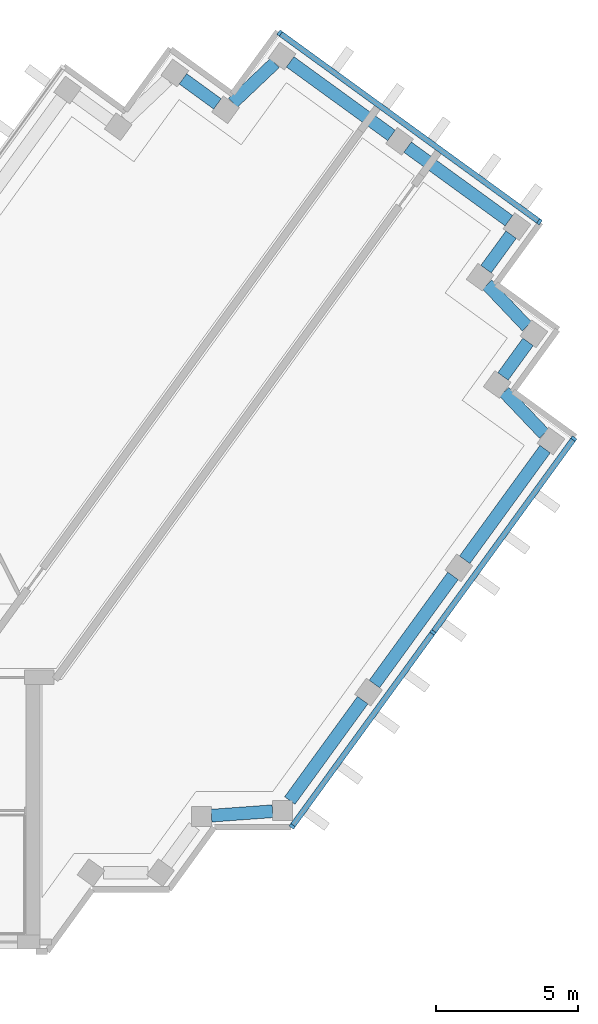
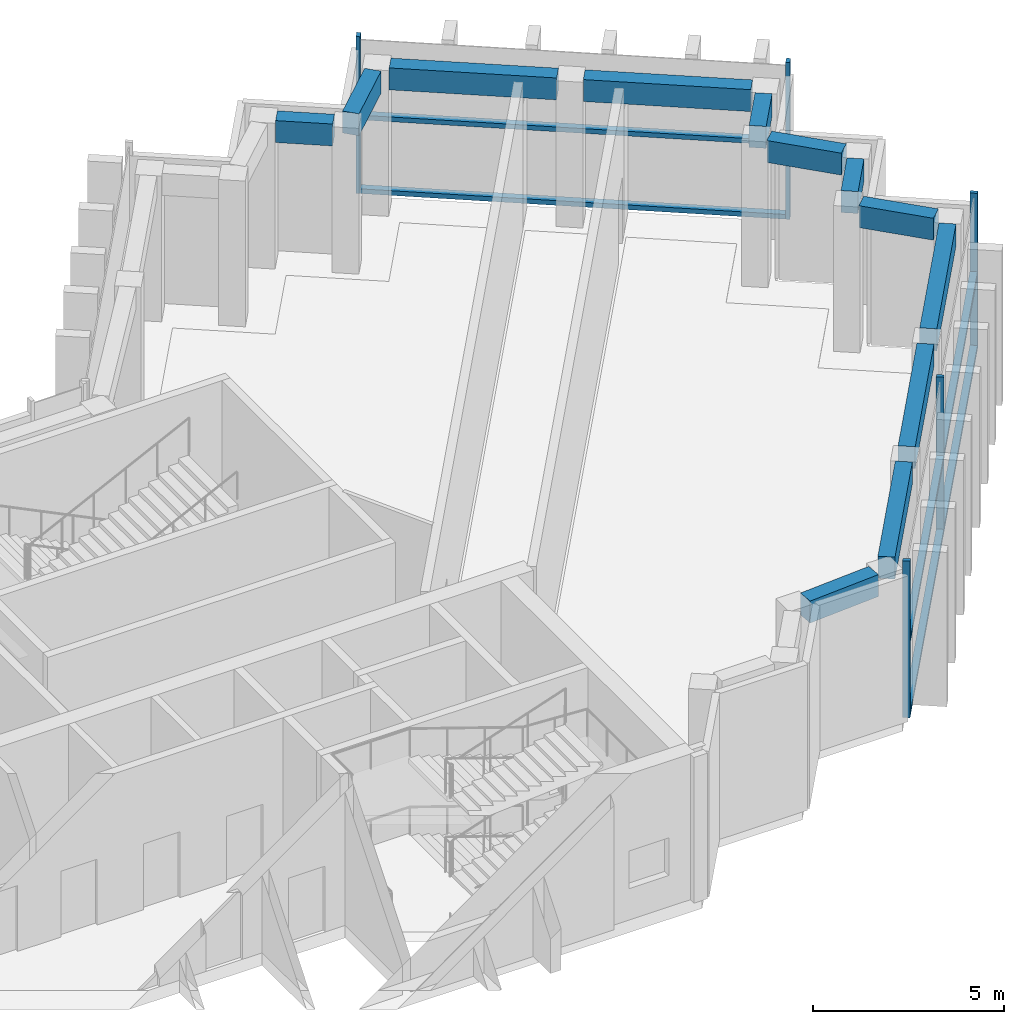
# One storey, part 5 of 14: 12 beams, 11 members, 2 elements without a shape of their own.
"""IFC4 building model written with IfcOpenShell, lengths in metres."""

import ifcopenshell
import ifcopenshell.guid

model = None  # the IFC model being written
_history = None  # IfcOwnerHistory: only IFC2X3 demands one
_inside = {}  # id of a spatial element -> (the spatial element, [elements in it])
_under = {}  # id of a project, library or spatial element -> (it, [spatial elements below it])
_declared = {}  # id of a project -> (the project, [libraries it declares])
_typed = {}  # id of a type object -> (the type object, [elements of that type])
_made_of = {}  # id of a material, layer set ... -> (it, [elements and type objects made of it])


def new_model(schema):
    """Start an empty IFC model of exactly this schema.

    Asked for "IFC4X3", IfcOpenShell would pick the latest addendum, in which some entities
    have other attributes; the version numbers below select the first issue.
    IFC2X3 requires an IfcOwnerHistory on every rooted entity: one is made here for all.
    """
    global model, _history
    if schema == "IFC4X3":
        model = ifcopenshell.file(schema_version=(4, 3, 0, 0))
    else:
        model = ifcopenshell.file(schema=schema)
    _inside.clear()
    _under.clear()
    _declared.clear()
    _typed.clear()
    _made_of.clear()
    _history = None
    if model.schema == "IFC2X3":
        org = make("IfcOrganization", Name="unknown")
        user = make(
            "IfcPersonAndOrganization",
            ThePerson=make("IfcPerson", FamilyName="unknown"),
            TheOrganization=org,
        )
        app = make(
            "IfcApplication",
            ApplicationDeveloper=org,
            Version="unknown",
            ApplicationFullName="unknown",
            ApplicationIdentifier="unknown",
        )
        _history = make(
            "IfcOwnerHistory",
            OwningUser=user,
            OwningApplication=app,
            ChangeAction="ADDED",
            CreationDate=0,
        )
    return model


def make(cls, **values):
    """One entity of the class cls with the attributes given. An attribute that is None is left unset."""
    return model.create_entity(
        cls, **{name: value for name, value in values.items() if value is not None}
    )


def rooted(cls, **values):
    """An entity with a GlobalId (a new one), such as an element, a storey or a relation."""
    return make(cls, GlobalId=ifcopenshell.guid.new(), OwnerHistory=_history, **values)


def si_unit(unit_type, name, prefix=None):
    """IfcSIUnit, for example si_unit("LENGTHUNIT", "METRE", prefix="MILLI")."""
    return make("IfcSIUnit", UnitType=unit_type, Prefix=prefix, Name=name)


def assignment(units):
    """IfcUnitAssignment: the units of a project."""
    return None if units is None else make("IfcUnitAssignment", Units=units)


def point(xyz):
    """IfcCartesianPoint."""
    return None if xyz is None else make("IfcCartesianPoint", Coordinates=xyz)


def direction(xyz):
    """IfcDirection."""
    return None if xyz is None else make("IfcDirection", DirectionRatios=xyz)


def frame(location, z_axis=None, x_axis=None):
    """IfcAxis2Placement3D, a coordinate frame: its origin and axes. An axis left out is left unset."""
    return make(
        "IfcAxis2Placement3D",
        Location=point(location),
        Axis=direction(z_axis),
        RefDirection=direction(x_axis),
    )


def frame_2d(location, x_axis=None):
    """IfcAxis2Placement2D, a coordinate frame in the plane: its origin and x axis."""
    return make(
        "IfcAxis2Placement2D", Location=point(location), RefDirection=direction(x_axis)
    )


def origin():
    """The frame at (0, 0, 0) with its axes left unset."""
    return frame((0.0, 0.0, 0.0))


def origin_2d():
    """The frame at (0, 0) in the plane with its x axis left unset."""
    return frame_2d((0.0, 0.0))


def place(relative_to, where):
    """IfcLocalPlacement: puts the frame where relative to a parent placement (None: the world)."""
    return make(
        "IfcLocalPlacement", PlacementRelTo=relative_to, RelativePlacement=where
    )


def context(
    kind, dimensions, precision=None, world=None, true_north=None, identifier=None
):
    """IfcGeometricRepresentationContext, for example the 3D "Model" context."""
    return make(
        "IfcGeometricRepresentationContext",
        ContextIdentifier=identifier,
        ContextType=kind,
        CoordinateSpaceDimension=dimensions,
        Precision=precision,
        WorldCoordinateSystem=world,
        TrueNorth=true_north,
    )


def subcontext(parent, identifier, kind, view, scale=None):
    """IfcGeometricRepresentationSubContext, for example "Body" below "Model"."""
    return make(
        "IfcGeometricRepresentationSubContext",
        ContextIdentifier=identifier,
        ContextType=kind,
        ParentContext=parent,
        TargetScale=scale,
        TargetView=view,
    )


def project(units=None, contexts=None):
    """IfcProject with its units and contexts."""
    return rooted(
        "IfcProject",
        Name="project",
        RepresentationContexts=contexts,
        UnitsInContext=assignment(units),
    )


def spatial(cls, under=None, at=None, **own):
    """A site, building, storey or space (cls), placed at a placement, below another one or the project."""
    s = rooted(cls, ObjectPlacement=at, **own)
    if under is not None:
        _under.setdefault(under.id(), (under, []))[1].append(s)
    return s


def profile(cls, at=None, kind="AREA", **sizes):
    """A parametric profile (cls). Its sizes go by their IFC names, for example OverallWidth=200.0."""
    return make(cls, ProfileType=kind, Position=at, **sizes)


def rectangle(**sizes):
    """IfcRectangleProfileDef."""
    return profile("IfcRectangleProfileDef", **sizes)


def extrude(swept, where, along, depth):
    """IfcExtrudedAreaSolid: the profile swept, set in the frame where, extruded along a direction by depth."""
    return make(
        "IfcExtrudedAreaSolid",
        SweptArea=swept,
        Position=where,
        ExtrudedDirection=direction(along),
        Depth=depth,
    )


def shape(context_of_items, identifier, shape_type, items):
    """IfcShapeRepresentation: the items that make up one representation, for example the "Body"."""
    return make(
        "IfcShapeRepresentation",
        ContextOfItems=context_of_items,
        RepresentationIdentifier=identifier,
        RepresentationType=shape_type,
        Items=items,
    )


def material(Name=None, Category=None):
    """IfcMaterial."""
    return make("IfcMaterial", Name=Name, Category=Category)


def material_profile(
    of_material, cross_section, Name=None, Category=None, Priority=None
):
    """IfcMaterialProfile: a cross section and its material."""
    return make(
        "IfcMaterialProfile",
        Name=Name,
        Material=of_material,
        Profile=cross_section,
        Priority=Priority,
        Category=Category,
    )


def profile_set(profiles, Name=None, composite=None):
    """IfcMaterialProfileSet."""
    return make(
        "IfcMaterialProfileSet",
        Name=Name,
        MaterialProfiles=profiles,
        CompositeProfile=composite,
    )


def made_of(thing, what):
    """Note that an element or type object is made of a material, layer set ...; save() writes the relation."""
    if what is not None:
        _made_of.setdefault(what.id(), (what, []))[1].append(thing)
    return thing


def type_object(cls, material=None, **own):
    """A type object (cls), such as IfcWallType, which elements share."""
    return made_of(rooted(cls, **own), material)


def element(
    cls,
    number,
    at=None,
    inside=None,
    cuts=None,
    type_object=None,
    material=None,
    context=None,
    identifier="Body",
    shape_type=None,
    held_by="IfcProductDefinitionShape",
    body=None,
    shapes=None,
    **own,
):
    """One element of the class cls, such as IfcWall. Its Tag is "e" and its number.

    at: its placement. inside: the storey or other place that contains it. cuts: it is an
    opening in that element (IfcRelVoidsElement). A single representation is given by context,
    identifier, shape_type and body (its items); several are given by shapes. held_by: the class
    of the entity that holds the representations. save() writes the other relations.
    """
    e = rooted(cls, Tag="e%d" % number, ObjectPlacement=at, **own)
    if body is not None:
        shapes = [shape(context, identifier, shape_type, body)]
    if shapes is not None:
        e.Representation = make(held_by, Representations=shapes)
    if inside is not None:
        _inside.setdefault(inside.id(), (inside, []))[1].append(e)
    if cuts is not None:
        rooted(
            "IfcRelVoidsElement", RelatingBuildingElement=cuts, RelatedOpeningElement=e
        )
    if type_object is not None:
        _typed.setdefault(type_object.id(), (type_object, []))[1].append(e)
    return made_of(e, material)


def aggregate(whole, parts):
    """IfcRelAggregates: a whole, such as a stair, and the parts it consists of."""
    return rooted("IfcRelAggregates", RelatingObject=whole, RelatedObjects=parts)


def save(model, path):
    """Write the relations noted so far, then the file.

    IfcRelAggregates (storeys below a building ...), IfcRelContainedInSpatialStructure (elements
    in a storey), IfcRelDefinesByType, IfcRelAssociatesMaterial and IfcRelDeclares: one each for
    every whole, place, type object, material and project.
    """
    for whole, parts in _under.values():
        aggregate(whole, parts)
    for where, things in _inside.values():
        rooted(
            "IfcRelContainedInSpatialStructure",
            RelatedElements=things,
            RelatingStructure=where,
        )
    for kind, things in _typed.values():
        rooted("IfcRelDefinesByType", RelatedObjects=things, RelatingType=kind)
    for what, things in _made_of.values():
        rooted("IfcRelAssociatesMaterial", RelatedObjects=things, RelatingMaterial=what)
    for by, libraries in _declared.values():
        rooted("IfcRelDeclares", RelatingContext=by, RelatedDefinitions=libraries)
    model.write(path)


model = new_model("IFC4")

# Units and contexts
model_context = context("Model", 3, precision=1e-05, world=origin(), true_north=direction((0.0, 1.0)))
body_context = subcontext(model_context, "Body", "Model", "MODEL_VIEW")
ifc_project = project(units=[si_unit("LENGTHUNIT", "METRE"), si_unit("AREAUNIT", "SQUARE_METRE"), si_unit("VOLUMEUNIT", "CUBIC_METRE"), si_unit("PLANEANGLEUNIT", "RADIAN"), si_unit("MASSUNIT", "GRAM", prefix="KILO")], contexts=[model_context])

# Site, building, storey
site_placement = place(None, origin())
site = spatial("IfcSite", under=ifc_project, at=site_placement, CompositionType="ELEMENT")
building_placement = place(site_placement, origin())
building = spatial("IfcBuilding", under=site, at=building_placement, Name="Quipu Civic Tower", CompositionType="ELEMENT")
storey_placement = place(building_placement, frame((0.0, 0.0, 248.0)))
storey = spatial("IfcBuildingStorey", under=building, at=storey_placement, Name="L58", CompositionType="ELEMENT", Elevation=248.0)

# Curtain wall, members
ifc_material_1 = material(Name="Insulated glass unit", Category="glass")
curtain_wall_type = type_object("IfcCurtainWallType", Name="Sky lobby and refuge curtain wall CW5", PredefinedType="NOTDEFINED", material=ifc_material_1)
curtain_wall_1_placement = place(storey_placement, origin())
curtain_wall_1 = element("IfcCurtainWall", 1, at=curtain_wall_1_placement, inside=storey, type_object=curtain_wall_type, Name="Sky lobby and refuge curtain wall CW5 L58 run 23", PredefinedType="NOTDEFINED")
ifc_material_2 = material(Name="Anodised aluminium", Category="aluminium")
ifc_material_profile_1 = material_profile(ifc_material_2, rectangle(XDim=0.199951171875, YDim=0.110107421875, at=origin_2d()), Name="RECT 200x110")
ifc_profile_set_1 = profile_set([ifc_material_profile_1], Name="Anodised aluminium")
member_type_1 = type_object("IfcMemberType", Name="Mullion CW5", PredefinedType="MULLION", material=ifc_profile_set_1)
member_1_placement = place(storey_placement, frame((28.862060546875, -6.686767578125, 0.074951171875), z_axis=(0.0, 0.0, 1.0), x_axis=(-0.809016278475, 0.587786237643, 0.0)))
member_1 = element("IfcMember", 2, at=member_1_placement, type_object=member_type_1, Name="CW5 mullion 1", PredefinedType="MULLION", context=body_context, shape_type="SweptSolid", body=[
    extrude(rectangle(XDim=0.199951171875, YDim=0.110107421875, at=origin_2d()), origin(), (0.0, 0.0, 1.0), 5.0),
])
member_2_placement = place(storey_placement, frame((33.81298828125, 0.12744140625, 0.074951171875), z_axis=(0.0, 0.0, 1.0), x_axis=(-0.809016278475, 0.587786237643, 0.0)))
member_2 = element("IfcMember", 3, at=member_2_placement, type_object=member_type_1, Name="CW5 mullion 2", PredefinedType="MULLION", context=body_context, shape_type="SweptSolid", body=[
    extrude(rectangle(XDim=0.199951171875, YDim=0.110107421875, at=origin_2d()), origin(), (0.0, 0.0, 1.0), 5.0),
])
member_3_placement = place(storey_placement, frame((38.763671875, 6.941650390625, 0.074951171875), z_axis=(0.0, 0.0, 1.0), x_axis=(-0.809016278475, 0.587786237643, 0.0)))
member_3 = element("IfcMember", 4, at=member_3_placement, type_object=member_type_1, Name="CW5 mullion 3", PredefinedType="MULLION", context=body_context, shape_type="SweptSolid", body=[
    extrude(rectangle(XDim=0.199951171875, YDim=0.110107421875, at=origin_2d()), origin(), (0.0, 0.0, 1.0), 5.0),
])

curtain_wall_2_placement = place(storey_placement, origin())
curtain_wall_2 = element("IfcCurtainWall", 5, at=curtain_wall_2_placement, inside=storey, type_object=curtain_wall_type, Name="Sky lobby and refuge curtain wall CW5 L58 run 28", PredefinedType="NOTDEFINED")
member_4_placement = place(storey_placement, frame((37.556884765625, 14.561279296875, 0.074951171875), z_axis=(0.0, 0.0, 1.0), x_axis=(-0.587787753918, -0.809015176832, 0.0)))
member_4 = element("IfcMember", 6, at=member_4_placement, type_object=member_type_1, Name="CW5 mullion 1", PredefinedType="MULLION", context=body_context, shape_type="SweptSolid", body=[
    extrude(rectangle(XDim=0.199951171875, YDim=0.110107421875, at=origin_2d()), origin(), (0.0, 0.0, 1.0), 5.0),
])
member_5_placement = place(storey_placement, frame((28.423095703125, 21.197265625, 0.074951171875), z_axis=(0.0, 0.0, 1.0), x_axis=(-0.587787753918, -0.809015176832, 0.0)))
member_5 = element("IfcMember", 7, at=member_5_placement, type_object=member_type_1, Name="CW5 mullion 2", PredefinedType="MULLION", context=body_context, shape_type="SweptSolid", body=[
    extrude(rectangle(XDim=0.199951171875, YDim=0.110107421875, at=origin_2d()), origin(), (0.0, 0.0, 1.0), 5.0),
])

# Beams
ifc_material_3 = material(Name="Concrete C50/60", Category="concrete")
ifc_material_profile_2 = material_profile(ifc_material_3, rectangle(XDim=0.449951171875, YDim=0.699951171875, at=origin_2d()), Name="RC450x700")
ifc_profile_set_2 = profile_set([ifc_material_profile_2], Name="Concrete C50/60")
beam_type = type_object("IfcBeamType", Name="Spandrel beam RC 450x700 C50/60", PredefinedType="SPANDREL", material=ifc_profile_set_2)
beam_1_placement = place(storey_placement, frame((26.0244140625, -6.3115234375, 4.300048828125), z_axis=(0.997379352029, 0.072349347934, 0.0), x_axis=(-0.072349347934, 0.997379352029, 0.0)))
element("IfcBeam", 8, at=beam_1_placement, inside=storey, type_object=beam_type, Name="Spandrel beam L58 J-Eo.3 to J-Eo.4", PredefinedType="SPANDREL", context=body_context, shape_type="SweptSolid", body=[
    extrude(rectangle(XDim=0.449951171875, YDim=0.699951171875, at=origin_2d()), origin(), (0.0, 0.0, 1.0), 2.15625),
])
beam_2_placement = place(storey_placement, frame((28.779296875, -5.780029296875, 4.300048828125), z_axis=(0.58777550284, 0.809024077677, 0.0), x_axis=(-0.809024077677, 0.58777550284, 0.0)))
element("IfcBeam", 9, at=beam_2_placement, inside=storey, type_object=beam_type, Name="Spandrel beam L58 J-Eo.4 to E-OUT-01", PredefinedType="SPANDREL", context=body_context, shape_type="SweptSolid", body=[
    extrude(rectangle(XDim=0.449951171875, YDim=0.699951171875, at=origin_2d()), origin(), (0.0, 0.0, 1.0), 4.36083984375),
])
beam_3_placement = place(storey_placement, frame((31.75390625, -1.685546875, 4.300048828125), z_axis=(0.587788656305, 0.809014521204, 0.0), x_axis=(-0.809014521204, 0.587788656305, 0.0)))
element("IfcBeam", 10, at=beam_3_placement, inside=storey, type_object=beam_type, Name="Spandrel beam L58 E-OUT-01 to E-OUT-02", PredefinedType="SPANDREL", context=body_context, shape_type="SweptSolid", body=[
    extrude(rectangle(XDim=0.449951171875, YDim=0.699951171875, at=origin_2d()), origin(), (0.0, 0.0, 1.0), 4.7001953125),
])
beam_4_placement = place(storey_placement, frame((34.927978515625, 2.68310546875, 4.300048828125), z_axis=(0.587905928359, 0.808929304328, 0.0), x_axis=(-0.808929304328, 0.587905928359, 0.0)))
element("IfcBeam", 11, at=beam_4_placement, inside=storey, type_object=beam_type, Name="Spandrel beam L58 E-OUT-02 to T-Eo.0-E22", PredefinedType="SPANDREL", context=body_context, shape_type="SweptSolid", body=[
    extrude(rectangle(XDim=0.449951171875, YDim=0.699951171875, at=origin_2d()), origin(), (0.0, 0.0, 1.0), 4.80712890625),
])
beam_5_placement = place(storey_placement, frame((37.71484375, 7.11279296875, 4.300048828125), z_axis=(-0.689175330605, 0.724594620244, 0.0), x_axis=(-0.724594620244, -0.689175330605, 0.0)))
element("IfcBeam", 12, at=beam_5_placement, inside=storey, type_object=beam_type, Name="Spandrel beam L58 T-Eo.0-E22 to T-Eo.1-E22", PredefinedType="SPANDREL", context=body_context, shape_type="SweptSolid", body=[
    extrude(rectangle(XDim=0.449951171875, YDim=0.699951171875, at=origin_2d()), origin(), (0.0, 0.0, 1.0), 2.033447265625),
])
beam_6_placement = place(storey_placement, frame((36.273681640625, 9.12744140625, 4.300048828125), z_axis=(0.587164895097, 0.809467347066, 0.0), x_axis=(-0.809467347066, 0.587164895097, 0.0)))
element("IfcBeam", 13, at=beam_6_placement, inside=storey, type_object=beam_type, Name="Spandrel beam L58 T-Eo.1-E22 to T-Eo.2-E22", PredefinedType="SPANDREL", context=body_context, shape_type="SweptSolid", body=[
    extrude(rectangle(XDim=0.449951171875, YDim=0.699951171875, at=origin_2d()), origin(), (0.0, 0.0, 1.0), 1.500244140625),
])
beam_7_placement = place(storey_placement, frame((37.114990234375, 10.88330078125, 4.300048828125), z_axis=(-0.688247466856, 0.725475998477, 0.0), x_axis=(-0.725475998477, -0.688247466856, 0.0)))
element("IfcBeam", 14, at=beam_7_placement, inside=storey, type_object=beam_type, Name="Spandrel beam L58 T-Eo.2-E22 to T-Eo.3-E22", PredefinedType="SPANDREL", context=body_context, shape_type="SweptSolid", body=[
    extrude(rectangle(XDim=0.449951171875, YDim=0.699951171875, at=origin_2d()), origin(), (0.0, 0.0, 1.0), 2.032958984375),
])
beam_8_placement = place(storey_placement, frame((35.6767578125, 12.8994140625, 4.300048828125), z_axis=(0.588345920092, 0.808609348394, 0.0), x_axis=(-0.808609348394, 0.588345920092, 0.0)))
element("IfcBeam", 15, at=beam_8_placement, inside=storey, type_object=beam_type, Name="Spandrel beam L58 T-Eo.3-E22 to T-Eo.4-E22", PredefinedType="SPANDREL", context=body_context, shape_type="SweptSolid", body=[
    extrude(rectangle(XDim=0.449951171875, YDim=0.699951171875, at=origin_2d()), origin(), (0.0, 0.0, 1.0), 1.499755859375),
])
beam_9_placement = place(storey_placement, frame((36.481689453125, 14.6005859375, 4.300048828125), z_axis=(-0.809117270763, 0.587647208921, 0.0), x_axis=(-0.587647208921, -0.809117270763, 0.0)))
element("IfcBeam", 16, at=beam_9_placement, inside=storey, type_object=beam_type, Name="Spandrel beam L58 T-Eo.4-E22 to TIP-E-01-E22", PredefinedType="SPANDREL", context=body_context, shape_type="SweptSolid", body=[
    extrude(rectangle(XDim=0.449951171875, YDim=0.699951171875, at=origin_2d()), origin(), (0.0, 0.0, 1.0), 4.40185546875),
])
beam_10_placement = place(storey_placement, frame((32.353759765625, 17.5986328125, 4.300048828125), z_axis=(-0.809146152767, 0.587607439931, 0.0), x_axis=(-0.587607439931, -0.809146152767, 0.0)))
element("IfcBeam", 17, at=beam_10_placement, inside=storey, type_object=beam_type, Name="Spandrel beam L58 TIP-E-01-E22 to T-Ei.0-E22", PredefinedType="SPANDREL", context=body_context, shape_type="SweptSolid", body=[
    extrude(rectangle(XDim=0.449951171875, YDim=0.699951171875, at=origin_2d()), origin(), (0.0, 0.0, 1.0), 4.400390625),
])
beam_11_placement = place(storey_placement, frame((28.251708984375, 20.14501953125, 4.300048828125), z_axis=(-0.725359138958, -0.688370626574, 0.0), x_axis=(0.688370626574, -0.725359138958, 0.0)))
element("IfcBeam", 18, at=beam_11_placement, inside=storey, type_object=beam_type, Name="Spandrel beam L58 T-Ei.0-E22 to T-Ei.1-E22", PredefinedType="SPANDREL", context=body_context, shape_type="SweptSolid", body=[
    extrude(rectangle(XDim=0.449951171875, YDim=0.699951171875, at=origin_2d()), origin(), (0.0, 0.0, 1.0), 2.032958984375),
])
beam_12_placement = place(storey_placement, frame((26.236083984375, 18.70654296875, 4.300048828125), z_axis=(-0.808644589435, 0.588297482553, 0.0), x_axis=(-0.588297482553, -0.808644589435, 0.0)))
element("IfcBeam", 19, at=beam_12_placement, inside=storey, type_object=beam_type, Name="Spandrel beam L58 T-Ei.1-E22 to T-Ei.2-E22", PredefinedType="SPANDREL", context=body_context, shape_type="SweptSolid", body=[
    extrude(rectangle(XDim=0.449951171875, YDim=0.699951171875, at=origin_2d()), origin(), (0.0, 0.0, 1.0), 1.500244140625),
])

# Member
ifc_material_4 = material(Name="Anodised aluminium", Category="aluminium")
ifc_material_profile_3 = material_profile(ifc_material_4, rectangle(XDim=0.199951171875, YDim=0.14990234375, at=origin_2d()), Name="RECT 200x150")
ifc_profile_set_3 = profile_set([ifc_material_profile_3], Name="Anodised aluminium")
member_type_2 = type_object("IfcMemberType", Name="Transom CW5", PredefinedType="USERDEFINED", material=ifc_profile_set_3)
member_6_placement = place(storey_placement, frame((28.89453125, -6.642333984375, 0.14990234375), z_axis=(0.587764741485, 0.809031895952, 0.0), x_axis=(-0.809031895952, 0.587764741485, 0.0)))
member_6 = element("IfcMember", 20, at=member_6_placement, type_object=member_type_2, Name="CW5 transom 1.1", ObjectType="TRANSOM", PredefinedType="USERDEFINED", context=body_context, shape_type="SweptSolid", body=[
    extrude(rectangle(XDim=0.199951171875, YDim=0.14990234375, at=origin_2d()), origin(), (0.0, 0.0, 1.0), 8.312744140625),
])

member_7_placement = place(storey_placement, frame((28.89453125, -6.642333984375, 2.5), z_axis=(0.587764741485, 0.809031895952, 0.0), x_axis=(-0.809031895952, 0.587764741485, 0.0)))
member_7 = element("IfcMember", 21, at=member_7_placement, type_object=member_type_2, Name="CW5 transom 1.2", ObjectType="TRANSOM", PredefinedType="USERDEFINED", context=body_context, shape_type="SweptSolid", body=[
    extrude(rectangle(XDim=0.199951171875, YDim=0.14990234375, at=origin_2d()), origin(), (0.0, 0.0, 1.0), 8.312744140625),
])

member_8_placement = place(storey_placement, frame((33.84521484375, 0.171875, 0.14990234375), z_axis=(0.587783964052, 0.809017930335, 0.0), x_axis=(-0.809017930335, 0.587783964052, 0.0)))
member_8 = element("IfcMember", 22, at=member_8_placement, type_object=member_type_2, Name="CW5 transom 2.1", ObjectType="TRANSOM", PredefinedType="USERDEFINED", context=body_context, shape_type="SweptSolid", body=[
    extrude(rectangle(XDim=0.199951171875, YDim=0.14990234375, at=origin_2d()), origin(), (0.0, 0.0, 1.0), 8.31298828125),
])

member_9_placement = place(storey_placement, frame((33.84521484375, 0.171875, 2.5), z_axis=(0.587783964052, 0.809017930335, 0.0), x_axis=(-0.809017930335, 0.587783964052, 0.0)))
member_9 = element("IfcMember", 23, at=member_9_placement, type_object=member_type_2, Name="CW5 transom 2.2", ObjectType="TRANSOM", PredefinedType="USERDEFINED", context=body_context, shape_type="SweptSolid", body=[
    extrude(rectangle(XDim=0.199951171875, YDim=0.14990234375, at=origin_2d()), origin(), (0.0, 0.0, 1.0), 8.31298828125),
])

aggregate(curtain_wall_1, [member_1, member_2, member_3, member_6, member_7, member_8, member_9])

member_10_placement = place(storey_placement, frame((37.512451171875, 14.593505859375, 0.14990234375), z_axis=(-0.809008905304, 0.587796385782, 0.0), x_axis=(-0.587796385782, -0.809008905304, 0.0)))
member_10 = element("IfcMember", 24, at=member_10_placement, type_object=member_type_2, Name="CW5 transom 1.1", ObjectType="TRANSOM", PredefinedType="USERDEFINED", context=body_context, shape_type="SweptSolid", body=[
    extrude(rectangle(XDim=0.199951171875, YDim=0.14990234375, at=origin_2d()), origin(), (0.0, 0.0, 1.0), 11.179931640625),
])

member_11_placement = place(storey_placement, frame((37.512451171875, 14.593505859375, 2.5), z_axis=(-0.809008905304, 0.587796385782, 0.0), x_axis=(-0.587796385782, -0.809008905304, 0.0)))
member_11 = element("IfcMember", 25, at=member_11_placement, type_object=member_type_2, Name="CW5 transom 1.2", ObjectType="TRANSOM", PredefinedType="USERDEFINED", context=body_context, shape_type="SweptSolid", body=[
    extrude(rectangle(XDim=0.199951171875, YDim=0.14990234375, at=origin_2d()), origin(), (0.0, 0.0, 1.0), 11.179931640625),
])

aggregate(curtain_wall_2, [member_4, member_5, member_10, member_11])

save(model, "model.ifc")
